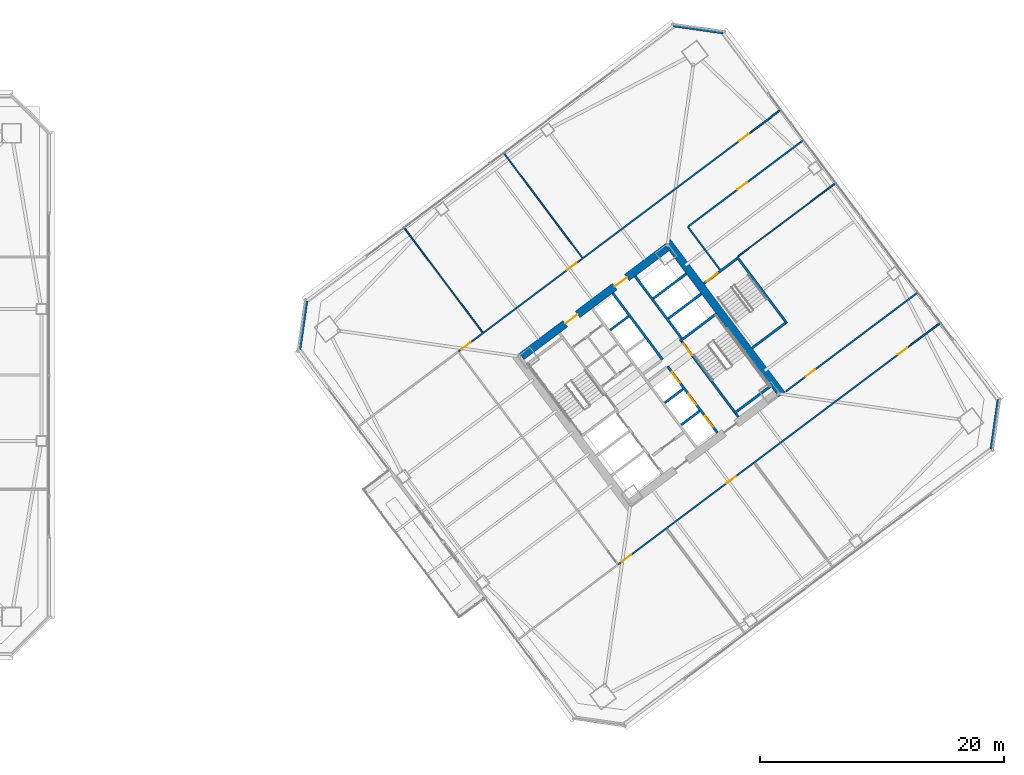
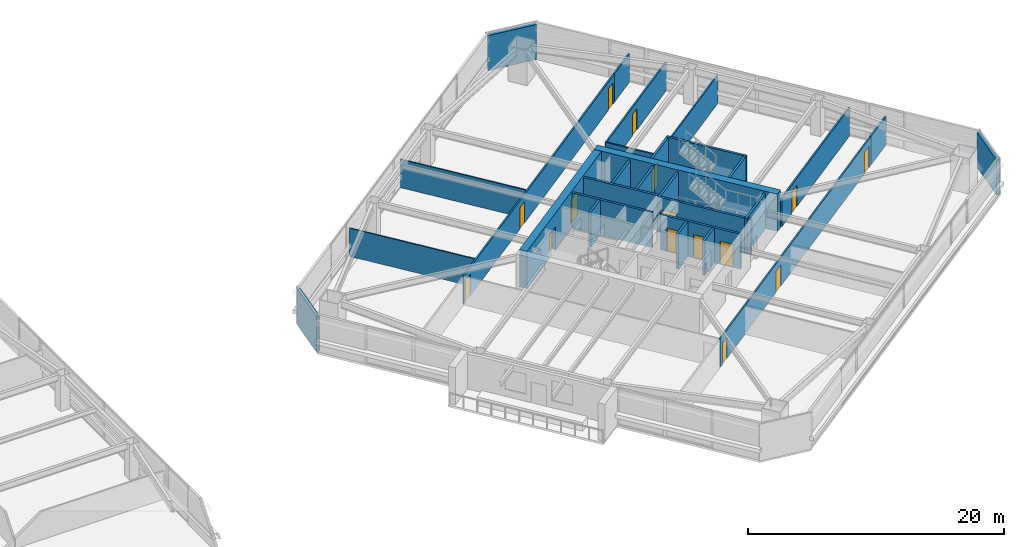
# One storey, part 39 of 46: 29 walls, 15 doors, 15 openings.
"""IFC4 building model written with IfcOpenShell, lengths in metres."""

from ifc_helpers import new_model, si_unit, direction, frame, frame_2d, origin, place, context, subcontext, project, spatial, rectangle, extrude, material, layer, layer_set, type_object, element, fill, save


model = new_model("IFC4")

# Units and contexts
model_context = context("Model", 3, precision=1e-05, world=origin(), true_north=direction((0.0, 1.0)))
body_context = subcontext(model_context, "Body", "Model", "MODEL_VIEW")
ifc_project = project(units=[si_unit("LENGTHUNIT", "METRE"), si_unit("AREAUNIT", "SQUARE_METRE"), si_unit("VOLUMEUNIT", "CUBIC_METRE"), si_unit("PLANEANGLEUNIT", "RADIAN"), si_unit("MASSUNIT", "GRAM", prefix="KILO")], contexts=[model_context])

# Site, building, storey
site_placement = place(None, origin())
site = spatial("IfcSite", under=ifc_project, at=site_placement, CompositionType="ELEMENT")
building_placement = place(site_placement, origin())
building = spatial("IfcBuilding", under=site, at=building_placement, Name="Tashvorn Skyway Center", CompositionType="ELEMENT")
storey_placement = place(building_placement, frame((0.0, 0.0, 60.10009765625)))
storey = spatial("IfcBuildingStorey", under=building, at=storey_placement, Name="L15", CompositionType="ELEMENT", Elevation=60.10009765625)

# Wall
ifc_material_1 = material(Name="Concrete C60/75", Category="concrete")
ifc_layer_1 = layer(ifc_material_1, 0.64990234375)
ifc_layer_set_1 = layer_set([ifc_layer_1], Name="Concrete C60/75")
wall_type_1 = type_object("IfcWallType", Name="WALL-CORE-650", PredefinedType="SHEAR", material=ifc_layer_set_1)
wall_1_placement = place(storey_placement, frame((115.52392578125, 42.89306640625, 0.0), z_axis=(0.0, 0.0, 1.0), x_axis=(0.600005007985, -0.799996243986, 0.0)))
element("IfcWall", 1, at=wall_1_placement, inside=storey, type_object=wall_type_1, Name="Tower 2 L15 East Core Shear Wall", PredefinedType="SHEAR", context=body_context, shape_type="SweptSolid", body=[
    extrude(rectangle(XDim=15.60009765625, YDim=0.64990234375, at=frame_2d((7.800048828125, 0.0))), origin(), (0.0, 0.0, 1.0), 3.5498046875),
])

# Wall, openings, doors
wall_2_placement = place(storey_placement, frame((103.571044921875, 33.52197265625, 0.0), z_axis=(0.0, 0.0, 1.0), x_axis=(0.799998028465, 0.600002628705, 0.0)))
wall_2 = element("IfcWall", 2, at=wall_2_placement, inside=storey, type_object=wall_type_1, Name="Tower 2 L15 North Core Shear Wall", PredefinedType="SHEAR", context=body_context, shape_type="SweptSolid", body=[
    extrude(rectangle(XDim=14.85986328125, YDim=0.64990234375, at=frame_2d((7.429931640625, 0.0))), origin(), (0.0, 0.0, 1.0), 3.5498046875),
])
opening_1_placement = place(wall_2_placement, frame((4.47998046875, 0.0, 0.0)))
opening_1 = element("IfcOpeningElement", 3, at=opening_1_placement, cuts=wall_2, Name="Opening D-FFL-1250", PredefinedType="OPENING", context=body_context, shape_type="SweptSolid", body=[
    extrude(rectangle(XDim=1.25, YDim=2.25, at=frame_2d((0.625, 1.125))), frame((0.0, 0.3349609375, 0.0), z_axis=(0.0, -1.0, 0.0), x_axis=(1.0, 0.0, 0.0)), (0.0, 0.0, 1.0), 0.669921875),
])
opening_2_placement = place(wall_2_placement, frame((9.530029296875, 0.0, 0.0)))
opening_2 = element("IfcOpeningElement", 4, at=opening_2_placement, cuts=wall_2, Name="Opening D-FFL-1250", PredefinedType="OPENING", context=body_context, shape_type="SweptSolid", body=[
    extrude(rectangle(XDim=1.25, YDim=2.25, at=frame_2d((0.625, 1.125))), frame((0.0, 0.3349609375, 0.0), z_axis=(0.0, -1.0, 0.0), x_axis=(1.0, 0.0, 0.0)), (0.0, 0.0, 1.0), 0.669921875),
])
ifc_material_2 = material(Name="Hollow galvanized steel fire door assembly", Category="steel")
door_type_1 = type_object("IfcDoorType", Name="DOOR-FFL-1250", OperationType="NOTDEFINED", PredefinedType="DOOR", material=ifc_material_2)
door_1_placement = place(opening_1_placement, origin())
door_1 = element("IfcDoor", 5, at=door_1_placement, inside=storey, type_object=door_type_1, Name="Tower 2 L15 Core North Service Lobby Door", OperationType="SINGLE_SWING_LEFT", OverallHeight=2.25, OverallWidth=1.25, PredefinedType="DOOR", context=body_context, shape_type="SweptSolid", body=[
    extrude(rectangle(XDim=1.25, YDim=2.25, at=frame_2d((0.625, 1.125))), frame((0.0, 0.02490234375, 0.0), z_axis=(0.0, -1.0, 0.0), x_axis=(1.0, 0.0, 0.0)), (0.0, 0.0, 1.0), 0.050048828125),
])
fill(opening_1, door_1)
door_2_placement = place(opening_2_placement, origin())
door_2 = element("IfcDoor", 6, at=door_2_placement, inside=storey, type_object=door_type_1, Name="Tower 2 L15 Core North Lift Lobby Door", OperationType="SINGLE_SWING_RIGHT", OverallHeight=2.25, OverallWidth=1.25, PredefinedType="DOOR", context=body_context, shape_type="SweptSolid", body=[
    extrude(rectangle(XDim=1.25, YDim=2.25, at=frame_2d((0.625, 1.125))), frame((0.0, 0.02490234375, 0.0), z_axis=(0.0, -1.0, 0.0), x_axis=(1.0, 0.0, 0.0)), (0.0, 0.0, 1.0), 0.050048828125),
])
fill(opening_2, door_2)

# Walls
ifc_material_3 = material(Name="Precast concrete C40/50", Category="concrete")
ifc_layer_2 = layer(ifc_material_3, 0.280029296875)
ifc_layer_set_2 = layer_set([ifc_layer_2], Name="Precast concrete C40/50")
wall_type_2 = type_object("IfcWallType", Name="WALL-EXT-280", PredefinedType="SOLIDWALL", material=ifc_layer_set_2)
for number, where, z_axis, x_axis, name in (
    (7, (85.360107421875, 34.02001953125, 0.0), (0.0, 0.0, 1.0), (0.14137968631, 0.989955445613, 0.0), "Tower 2 L15 NW Precast Chamfer Wall"),
    (8, (116.02001953125, 60.639892578125, 0.0), (0.0, 0.0, 1.0), (0.989955445613, -0.14137968631, 0.0), "Tower 2 L15 NE Precast Chamfer Wall"),
    (9, (142.639892578125, 29.97998046875, 0.0), (0.0, 0.0, 1.0), (-0.14137968631, -0.989955445613, 0.0), "Tower 2 L15 SE Precast Chamfer Wall"),
):
    element("IfcWall", number, at=place(storey_placement, frame(where, z_axis=z_axis, x_axis=x_axis)), inside=storey, type_object=wall_type_2, Name=name, PredefinedType="SOLIDWALL", context=body_context, shape_type="SweptSolid", body=[
        extrude(rectangle(XDim=4.101318359375, YDim=0.280029296875, at=frame_2d((2.05078125, 0.0))), origin(), (0.0, 0.0, 1.0), 3.349853515625),
    ])
ifc_material_4 = material(Name="Gypsum board on cold-formed steel stud framing", Category="steel")
ifc_layer_3 = layer(ifc_material_4, 0.110107421875)
ifc_layer_set_3 = layer_set([ifc_layer_3], Name="Gypsum board on cold-formed steel stud framing")
wall_type_3 = type_object("IfcWallType", Name="WALL-PART-110", PredefinedType="PARTITIONING", material=ifc_layer_set_3)
wall_3_placement = place(storey_placement, frame((100.3720703125, 35.50390625, 0.0), z_axis=(0.0, 0.0, 1.0), x_axis=(-0.600007301277, 0.79999452399, 0.0)))
element("IfcWall", 10, at=wall_3_placement, inside=storey, type_object=wall_type_3, Name="Tower 2 L15 North Suite Partition 1", PredefinedType="PARTITIONING", context=body_context, shape_type="SweptSolid", body=[
    extrude(rectangle(XDim=10.7001953125, YDim=0.110107421875, at=frame_2d((5.35009765625, 0.0))), origin(), (0.0, 0.0, 1.0), 2.702880859375),
])
wall_4_placement = place(storey_placement, frame((108.531982421875, 41.6240234375, 0.0), z_axis=(0.0, 0.0, 1.0), x_axis=(-0.599992698573, 0.800005476018, 0.0)))
element("IfcWall", 11, at=wall_4_placement, inside=storey, type_object=wall_type_3, Name="Tower 2 L15 North Suite Partition 2", PredefinedType="PARTITIONING", context=body_context, shape_type="SweptSolid", body=[
    extrude(rectangle(XDim=10.699951171875, YDim=0.110107421875, at=frame_2d((5.35009765625, 0.0))), origin(), (0.0, 0.0, 1.0), 2.702880859375),
])
wall_5_placement = place(storey_placement, frame((129.303955078125, 47.72802734375, 0.0), z_axis=(0.0, 0.0, 1.0), x_axis=(-0.8, -0.6, 0.0)))
element("IfcWall", 12, at=wall_5_placement, inside=storey, type_object=wall_type_3, Name="Tower 2 L15 East Suite Partition 1", PredefinedType="PARTITIONING", context=body_context, shape_type="SweptSolid", body=[
    extrude(rectangle(XDim=10.0, YDim=0.110107421875, at=frame_2d((5.0, 0.0))), origin(), (0.0, 0.0, 1.0), 2.702880859375),
])
ifc_layer_4 = layer(ifc_material_4, 0.135009765625)
ifc_layer_set_4 = layer_set([ifc_layer_4], Name="Gypsum board on cold-formed steel stud framing")
wall_type_4 = type_object("IfcWallType", Name="WALL-PART-135", PredefinedType="PARTITIONING", material=ifc_layer_set_4)
wall_6_placement = place(storey_placement, frame((119.823974609375, 40.617919921875, 0.0), z_axis=(0.0, 0.0, 1.0), x_axis=(-0.599982243973, 0.800013316712, 0.0)))
element("IfcWall", 13, at=wall_6_placement, inside=storey, type_object=wall_type_4, Name="Tower 2 L15 Stair 3 Access Corridor Wall", PredefinedType="PARTITIONING", context=body_context, shape_type="SweptSolid", body=[
    extrude(rectangle(XDim=4.39990234375, YDim=0.135009765625, at=frame_2d((2.199951171875, 0.0))), origin(), (0.0, 0.0, 1.0), 2.702880859375),
])

# Wall, openings, doors
wall_7_placement = place(storey_placement, frame((98.39599609375, 33.922119140625, 0.0), z_axis=(0.0, 0.0, 1.0), x_axis=(0.800001954438, 0.599997394074, 0.0)))
wall_7 = element("IfcWall", 14, at=wall_7_placement, inside=storey, type_object=wall_type_4, Name="Tower 2 L15 North Suite Wall", PredefinedType="PARTITIONING", context=body_context, shape_type="SweptSolid", body=[
    extrude(rectangle(XDim=29.979736328125, YDim=0.135009765625, at=frame_2d((14.98974609375, 0.0))), origin(), (0.0, 0.0, 1.0), 2.702880859375),
])
opening_3_placement = place(wall_7_placement, frame((0.300048828125, 0.0, 0.0)))
opening_3 = element("IfcOpeningElement", 15, at=opening_3_placement, cuts=wall_7, Name="Opening D-INT-950", PredefinedType="OPENING", context=body_context, shape_type="SweptSolid", body=[
    extrude(rectangle(XDim=0.949951171875, YDim=2.050048828125, at=frame_2d((0.47509765625, 1.02490234375))), frame((0.0, 0.077392578125, 0.0), z_axis=(0.0, -1.0, 0.0), x_axis=(1.0, 0.0, 0.0)), (0.0, 0.0, 1.0), 0.155029296875),
])
opening_4_placement = place(wall_7_placement, frame((11.142578125, 0.0, 0.0)))
opening_4 = element("IfcOpeningElement", 16, at=opening_4_placement, cuts=wall_7, Name="Opening D-INT-950", PredefinedType="OPENING", context=body_context, shape_type="SweptSolid", body=[
    extrude(rectangle(XDim=0.949951171875, YDim=2.050048828125, at=frame_2d((0.47509765625, 1.02490234375))), frame((0.0, 0.077392578125, 0.0), z_axis=(0.0, -1.0, 0.0), x_axis=(1.0, 0.0, 0.0)), (0.0, 0.0, 1.0), 0.155029296875),
])
opening_5_placement = place(wall_7_placement, frame((28.72998046875, 0.0, 0.0)))
opening_5 = element("IfcOpeningElement", 17, at=opening_5_placement, cuts=wall_7, Name="Opening D-INT-950", PredefinedType="OPENING", context=body_context, shape_type="SweptSolid", body=[
    extrude(rectangle(XDim=0.949951171875, YDim=2.050048828125, at=frame_2d((0.47509765625, 1.02490234375))), frame((0.0, 0.077392578125, 0.0), z_axis=(0.0, -1.0, 0.0), x_axis=(1.0, 0.0, 0.0)), (0.0, 0.0, 1.0), 0.155029296875),
])
ifc_material_5 = material(Name="Solid-core architectural oak veneer door")
door_type_2 = type_object("IfcDoorType", Name="DOOR-INT-950", OperationType="NOTDEFINED", PredefinedType="DOOR", material=ifc_material_5)
door_3_placement = place(opening_3_placement, origin())
door_3 = element("IfcDoor", 18, at=door_3_placement, inside=storey, type_object=door_type_2, Name="Tower 2 L15 Executive Suite Door", OperationType="SINGLE_SWING_LEFT", OverallHeight=2.050048828125, OverallWidth=0.949951171875, PredefinedType="DOOR", context=body_context, shape_type="SweptSolid", body=[
    extrude(rectangle(XDim=0.949951171875, YDim=2.050048828125, at=frame_2d((0.47509765625, 1.02490234375))), frame((0.0, 0.02490234375, 0.0), z_axis=(0.0, -1.0, 0.0), x_axis=(1.0, 0.0, 0.0)), (0.0, 0.0, 1.0), 0.050048828125),
])
fill(opening_3, door_3)
door_4_placement = place(opening_4_placement, origin())
door_4 = element("IfcDoor", 19, at=door_4_placement, inside=storey, type_object=door_type_2, Name="Tower 2 L15 Executive Suite Door", OperationType="SINGLE_SWING_RIGHT", OverallHeight=2.050048828125, OverallWidth=0.949951171875, PredefinedType="DOOR", context=body_context, shape_type="SweptSolid", body=[
    extrude(rectangle(XDim=0.949951171875, YDim=2.050048828125, at=frame_2d((0.47509765625, 1.02490234375))), frame((0.0, 0.02490234375, 0.0), z_axis=(0.0, -1.0, 0.0), x_axis=(1.0, 0.0, 0.0)), (0.0, 0.0, 1.0), 0.050048828125),
])
fill(opening_4, door_4)
door_5_placement = place(opening_5_placement, origin())
door_5 = element("IfcDoor", 20, at=door_5_placement, inside=storey, type_object=door_type_2, Name="Tower 2 L15 Boardroom Door", OperationType="SINGLE_SWING_LEFT", OverallHeight=2.050048828125, OverallWidth=0.949951171875, PredefinedType="DOOR", context=body_context, shape_type="SweptSolid", body=[
    extrude(rectangle(XDim=0.949951171875, YDim=2.050048828125, at=frame_2d((0.47509765625, 1.02490234375))), frame((0.0, 0.02490234375, 0.0), z_axis=(0.0, -1.0, 0.0), x_axis=(1.0, 0.0, 0.0)), (0.0, 0.0, 1.0), 0.050048828125),
])
fill(opening_5, door_5)

# Wall
wall_8_placement = place(storey_placement, frame((122.3798828125, 51.909912109375, 0.0), z_axis=(0.0, 0.0, 1.0), x_axis=(0.799990331366, 0.600012891296, 0.0)))
element("IfcWall", 21, at=wall_8_placement, inside=storey, type_object=wall_type_4, Name="Tower 2 L15 North-East Suite South Wall", PredefinedType="PARTITIONING", context=body_context, shape_type="SweptSolid", body=[
    extrude(rectangle(XDim=3.030029296875, YDim=0.135009765625, at=frame_2d((1.51513671875, 0.0))), origin(), (0.0, 0.0, 1.0), 2.702880859375),
])

# Wall, openings, doors
wall_9_placement = place(storey_placement, frame((135.4599609375, 34.469970703125, 0.0), z_axis=(0.0, 0.0, 1.0), x_axis=(-0.799998045563, -0.600002605907, 0.0)))
wall_9 = element("IfcWall", 22, at=wall_9_placement, inside=storey, type_object=wall_type_4, Name="Tower 2 L15 South Suite Wall", PredefinedType="PARTITIONING", context=body_context, shape_type="SweptSolid", body=[
    extrude(rectangle(XDim=29.97998046875, YDim=0.135009765625, at=frame_2d((14.989990234375, 0.0))), origin(), (0.0, 0.0, 1.0), 2.702880859375),
])
opening_6_placement = place(wall_9_placement, frame((28.64990234375, 0.0, 0.0)))
opening_6 = element("IfcOpeningElement", 23, at=opening_6_placement, cuts=wall_9, Name="Opening D-INT-950", PredefinedType="OPENING", context=body_context, shape_type="SweptSolid", body=[
    extrude(rectangle(XDim=0.949951171875, YDim=2.050048828125, at=frame_2d((0.47509765625, 1.02490234375))), frame((0.0, 0.077392578125, 0.0), z_axis=(0.0, -1.0, 0.0), x_axis=(1.0, 0.0, 0.0)), (0.0, 0.0, 1.0), 0.155029296875),
])
opening_7_placement = place(wall_9_placement, frame((17.938232421875, 0.0, 0.0)))
opening_7 = element("IfcOpeningElement", 24, at=opening_7_placement, cuts=wall_9, Name="Opening D-INT-950", PredefinedType="OPENING", context=body_context, shape_type="SweptSolid", body=[
    extrude(rectangle(XDim=0.949951171875, YDim=2.050048828125, at=frame_2d((0.47509765625, 1.02490234375))), frame((0.0, 0.077392578125, 0.0), z_axis=(0.0, -1.0, 0.0), x_axis=(1.0, 0.0, 0.0)), (0.0, 0.0, 1.0), 0.155029296875),
])
opening_8_placement = place(wall_9_placement, frame((0.3798828125, 0.0, 0.0)))
opening_8 = element("IfcOpeningElement", 25, at=opening_8_placement, cuts=wall_9, Name="Opening D-INT-950", PredefinedType="OPENING", context=body_context, shape_type="SweptSolid", body=[
    extrude(rectangle(XDim=0.949951171875, YDim=2.050048828125, at=frame_2d((0.47509765625, 1.02490234375))), frame((0.0, 0.077392578125, 0.0), z_axis=(0.0, -1.0, 0.0), x_axis=(1.0, 0.0, 0.0)), (0.0, 0.0, 1.0), 0.155029296875),
])
door_6_placement = place(opening_6_placement, origin())
door_6 = element("IfcDoor", 26, at=door_6_placement, inside=storey, type_object=door_type_2, Name="Tower 2 L15 Executive Suite Door", OperationType="SINGLE_SWING_RIGHT", OverallHeight=2.050048828125, OverallWidth=0.949951171875, PredefinedType="DOOR", context=body_context, shape_type="SweptSolid", body=[
    extrude(rectangle(XDim=0.949951171875, YDim=2.050048828125, at=frame_2d((0.47509765625, 1.02490234375))), frame((0.0, 0.02490234375, 0.0), z_axis=(0.0, -1.0, 0.0), x_axis=(1.0, 0.0, 0.0)), (0.0, 0.0, 1.0), 0.050048828125),
])
fill(opening_6, door_6)
door_7_placement = place(opening_7_placement, origin())
door_7 = element("IfcDoor", 27, at=door_7_placement, inside=storey, type_object=door_type_2, Name="Tower 2 L15 Boardroom Door", OperationType="SINGLE_SWING_LEFT", OverallHeight=2.050048828125, OverallWidth=0.949951171875, PredefinedType="DOOR", context=body_context, shape_type="SweptSolid", body=[
    extrude(rectangle(XDim=0.949951171875, YDim=2.050048828125, at=frame_2d((0.47509765625, 1.02490234375))), frame((0.0, 0.02490234375, 0.0), z_axis=(0.0, -1.0, 0.0), x_axis=(1.0, 0.0, 0.0)), (0.0, 0.0, 1.0), 0.050048828125),
])
fill(opening_7, door_7)
door_8_placement = place(opening_8_placement, origin())
door_8 = element("IfcDoor", 28, at=door_8_placement, inside=storey, type_object=door_type_2, Name="Tower 2 L15 Boardroom Door", OperationType="SINGLE_SWING_RIGHT", OverallHeight=2.050048828125, OverallWidth=0.949951171875, PredefinedType="DOOR", context=body_context, shape_type="SweptSolid", body=[
    extrude(rectangle(XDim=0.949951171875, YDim=2.050048828125, at=frame_2d((0.47509765625, 1.02490234375))), frame((0.0, 0.02490234375, 0.0), z_axis=(0.0, -1.0, 0.0), x_axis=(1.0, 0.0, 0.0)), (0.0, 0.0, 1.0), 0.050048828125),
])
fill(opening_8, door_8)

# Wall
wall_10_placement = place(storey_placement, frame((135.4599609375, 34.469970703125, 0.0), z_axis=(0.0, 0.0, 1.0), x_axis=(0.799990331366, 0.600012891296, 0.0)))
element("IfcWall", 29, at=wall_10_placement, inside=storey, type_object=wall_type_4, Name="Tower 2 L15 South-East Suite North Wall", PredefinedType="PARTITIONING", context=body_context, shape_type="SweptSolid", body=[
    extrude(rectangle(XDim=3.030029296875, YDim=0.135009765625, at=frame_2d((1.51513671875, 0.0))), origin(), (0.0, 0.0, 1.0), 2.702880859375),
])

# Wall, opening, door
wall_11_placement = place(storey_placement, frame((126.6640625, 51.248046875, 0.0), z_axis=(0.0, 0.0, 1.0), x_axis=(-0.799995055373, -0.600006592779, 0.0)))
wall_11 = element("IfcWall", 30, at=wall_11_placement, inside=storey, type_object=wall_type_4, Name="Tower 2 L15 East Suite North Wall", PredefinedType="PARTITIONING", context=body_context, shape_type="SweptSolid", body=[
    extrude(rectangle(XDim=11.85009765625, YDim=0.135009765625, at=frame_2d((5.925048828125, 0.0))), origin(), (0.0, 0.0, 1.0), 2.702880859375),
])
opening_9_placement = place(wall_11_placement, frame((5.800048828125, 0.0, 0.0)))
opening_9 = element("IfcOpeningElement", 31, at=opening_9_placement, cuts=wall_11, Name="Opening D-INT-950", PredefinedType="OPENING", context=body_context, shape_type="SweptSolid", body=[
    extrude(rectangle(XDim=0.949951171875, YDim=2.050048828125, at=frame_2d((0.47509765625, 1.02490234375))), frame((0.0, 0.077392578125, 0.0), z_axis=(0.0, -1.0, 0.0), x_axis=(1.0, 0.0, 0.0)), (0.0, 0.0, 1.0), 0.155029296875),
])
door_9_placement = place(opening_9_placement, origin())
door_9 = element("IfcDoor", 32, at=door_9_placement, inside=storey, type_object=door_type_2, Name="Tower 2 L15 Executive Suite Door", OperationType="SINGLE_SWING_LEFT", OverallHeight=2.050048828125, OverallWidth=0.949951171875, PredefinedType="DOOR", context=body_context, shape_type="SweptSolid", body=[
    extrude(rectangle(XDim=0.949951171875, YDim=2.050048828125, at=frame_2d((0.47509765625, 1.02490234375))), frame((0.0, 0.02490234375, 0.0), z_axis=(0.0, -1.0, 0.0), x_axis=(1.0, 0.0, 0.0)), (0.0, 0.0, 1.0), 0.050048828125),
])
fill(opening_9, door_9)

wall_12_placement = place(storey_placement, frame((125.2080078125, 30.656005859375, 0.0), z_axis=(0.0, 0.0, 1.0), x_axis=(0.799995666112, 0.600005778473, 0.0)))
wall_12 = element("IfcWall", 33, at=wall_12_placement, inside=storey, type_object=wall_type_4, Name="Tower 2 L15 East Suite South Wall", PredefinedType="PARTITIONING", context=body_context, shape_type="SweptSolid", body=[
    extrude(rectangle(XDim=13.52001953125, YDim=0.135009765625, at=frame_2d((6.760009765625, 0.0))), origin(), (0.0, 0.0, 1.0), 2.702880859375),
])
opening_10_placement = place(wall_12_placement, frame((2.044921875, 0.0, 0.0)))
opening_10 = element("IfcOpeningElement", 34, at=opening_10_placement, cuts=wall_12, Name="Opening D-INT-950", PredefinedType="OPENING", context=body_context, shape_type="SweptSolid", body=[
    extrude(rectangle(XDim=0.949951171875, YDim=2.050048828125, at=frame_2d((0.47509765625, 1.02490234375))), frame((0.0, 0.077392578125, 0.0), z_axis=(0.0, -1.0, 0.0), x_axis=(1.0, 0.0, 0.0)), (0.0, 0.0, 1.0), 0.155029296875),
])
door_10_placement = place(opening_10_placement, origin())
door_10 = element("IfcDoor", 35, at=door_10_placement, inside=storey, type_object=door_type_2, Name="Tower 2 L15 Public Restroom Door", OperationType="SINGLE_SWING_RIGHT", OverallHeight=2.050048828125, OverallWidth=0.949951171875, PredefinedType="DOOR", context=body_context, shape_type="SweptSolid", body=[
    extrude(rectangle(XDim=0.949951171875, YDim=2.050048828125, at=frame_2d((0.47509765625, 1.02490234375))), frame((0.0, 0.02490234375, 0.0), z_axis=(0.0, -1.0, 0.0), x_axis=(1.0, 0.0, 0.0)), (0.0, 0.0, 1.0), 0.050048828125),
])
fill(opening_10, door_10)

# Walls
ifc_material_6 = material(Name="Concrete C40/50", Category="concrete")
ifc_layer_5 = layer(ifc_material_6, 0.199951171875)
ifc_layer_set_5 = layer_set([ifc_layer_5], Name="Concrete C40/50")
wall_type_5 = type_object("IfcWallType", Name="WALL-SHAFT-200", PredefinedType="SOLIDWALL", material=ifc_layer_set_5)
for number, where, z_axis, x_axis, name in (
    (36, (115.590087890625, 36.6298828125, 0.0), (0.0, 0.0, 1.0), (0.799973995579, 0.600034670996, 0.0), "Tower 2 L15 High-Rise Shaft Divider"),
    (37, (114.360107421875, 38.27001953125, 0.0), (0.0, 0.0, 1.0), (0.799973995579, 0.600034670996, 0.0), "Tower 2 L15 High-Rise Shaft Divider"),
):
    element("IfcWall", number, at=place(storey_placement, frame(where, z_axis=z_axis, x_axis=x_axis)), inside=storey, type_object=wall_type_5, Name=name, PredefinedType="SOLIDWALL", context=body_context, shape_type="SweptSolid", body=[
        extrude(rectangle(XDim=3.3798828125, YDim=0.199951171875, at=frame_2d((1.68994140625, 0.0))), origin(), (0.0, 0.0, 1.0), 3.349853515625),
    ])

# Wall, openings, doors
wall_13_placement = place(storey_placement, frame((119.610107421875, 27.27001953125, 0.0), z_axis=(0.0, 0.0, 1.0), x_axis=(-0.600011488909, 0.79999138319, 0.0)))
wall_13 = element("IfcWall", 38, at=wall_13_placement, inside=storey, type_object=wall_type_5, Name="Tower 2 L15 Low-Rise Core Wall", PredefinedType="SOLIDWALL", context=body_context, shape_type="SweptSolid", body=[
    extrude(rectangle(XDim=6.800048828125, YDim=0.199951171875, at=frame_2d((3.39990234375, 0.0))), origin(), (0.0, 0.0, 1.0), 3.349853515625),
])
opening_11_placement = place(wall_13_placement, frame((0.625, 0.0, 0.0)))
opening_11 = element("IfcOpeningElement", 39, at=opening_11_placement, cuts=wall_13, Name="Opening LD-LR-T2-1-L15", PredefinedType="OPENING", context=body_context, shape_type="SweptSolid", body=[
    extrude(rectangle(XDim=1.10009765625, YDim=2.199951171875, at=frame_2d((0.550048828125, 1.10009765625))), frame((0.0, 0.10986328125, 0.0), z_axis=(0.0, -1.0, 0.0), x_axis=(1.0, 0.0, 0.0)), (0.0, 0.0, 1.0), 0.219970703125),
])
opening_12_placement = place(wall_13_placement, frame((2.875, 0.0, 0.0)))
opening_12 = element("IfcOpeningElement", 40, at=opening_12_placement, cuts=wall_13, Name="Opening LD-LR-T2-2-L15", PredefinedType="OPENING", context=body_context, shape_type="SweptSolid", body=[
    extrude(rectangle(XDim=1.10009765625, YDim=2.199951171875, at=frame_2d((0.550048828125, 1.10009765625))), frame((0.0, 0.10986328125, 0.0), z_axis=(0.0, -1.0, 0.0), x_axis=(1.0, 0.0, 0.0)), (0.0, 0.0, 1.0), 0.219970703125),
])
opening_13_placement = place(wall_13_placement, frame((5.125, 0.0, 0.0)))
opening_13 = element("IfcOpeningElement", 41, at=opening_13_placement, cuts=wall_13, Name="Opening LD-LR-T2-3-L15", PredefinedType="OPENING", context=body_context, shape_type="SweptSolid", body=[
    extrude(rectangle(XDim=1.10009765625, YDim=2.199951171875, at=frame_2d((0.550048828125, 1.10009765625))), frame((0.0, 0.10986328125, 0.0), z_axis=(0.0, -1.0, 0.0), x_axis=(1.0, 0.0, 0.0)), (0.0, 0.0, 1.0), 0.219970703125),
])
ifc_material_7 = material(Name="Stainless steel landing door", Category="steel")
door_type_3 = type_object("IfcDoorType", Name="DOOR-LIFT-1100", OperationType="SLIDING_TO_LEFT", PredefinedType="DOOR", material=ifc_material_7)
door_11_placement = place(opening_11_placement, origin())
door_11 = element("IfcDoor", 42, at=door_11_placement, inside=storey, type_object=door_type_3, Name="Lift LR-T2-1 L15 Landing Door", OperationType="SLIDING_TO_LEFT", OverallHeight=2.199951171875, OverallWidth=1.10009765625, PredefinedType="DOOR", context=body_context, shape_type="SweptSolid", body=[
    extrude(rectangle(XDim=1.10009765625, YDim=2.199951171875, at=frame_2d((0.550048828125, 1.10009765625))), frame((0.0, 0.02490234375, 0.0), z_axis=(0.0, -1.0, 0.0), x_axis=(1.0, 0.0, 0.0)), (0.0, 0.0, 1.0), 0.050048828125),
])
fill(opening_11, door_11)
door_12_placement = place(opening_12_placement, origin())
door_12 = element("IfcDoor", 43, at=door_12_placement, inside=storey, type_object=door_type_3, Name="Lift LR-T2-2 L15 Landing Door", OperationType="SLIDING_TO_LEFT", OverallHeight=2.199951171875, OverallWidth=1.10009765625, PredefinedType="DOOR", context=body_context, shape_type="SweptSolid", body=[
    extrude(rectangle(XDim=1.10009765625, YDim=2.199951171875, at=frame_2d((0.550048828125, 1.10009765625))), frame((0.0, 0.02490234375, 0.0), z_axis=(0.0, -1.0, 0.0), x_axis=(1.0, 0.0, 0.0)), (0.0, 0.0, 1.0), 0.050048828125),
])
fill(opening_12, door_12)
door_13_placement = place(opening_13_placement, origin())
door_13 = element("IfcDoor", 44, at=door_13_placement, inside=storey, type_object=door_type_3, Name="Lift LR-T2-3 L15 Landing Door", OperationType="SLIDING_TO_LEFT", OverallHeight=2.199951171875, OverallWidth=1.10009765625, PredefinedType="DOOR", context=body_context, shape_type="SweptSolid", body=[
    extrude(rectangle(XDim=1.10009765625, YDim=2.199951171875, at=frame_2d((0.550048828125, 1.10009765625))), frame((0.0, 0.02490234375, 0.0), z_axis=(0.0, -1.0, 0.0), x_axis=(1.0, 0.0, 0.0)), (0.0, 0.0, 1.0), 0.050048828125),
])
fill(opening_13, door_13)

# Walls
wall_14_placement = place(storey_placement, frame((116.64599609375, 27.922119140625, 0.0), z_axis=(0.0, 0.0, 1.0), x_axis=(0.8, 0.6, 0.0)))
element("IfcWall", 45, at=wall_14_placement, inside=storey, type_object=wall_type_5, Name="Tower 2 L15 Low-Rise Shaft Divider", PredefinedType="SOLIDWALL", context=body_context, shape_type="SweptSolid", body=[
    extrude(rectangle(XDim=1.8798828125, YDim=0.199951171875, at=frame_2d((0.93994140625, 0.0))), origin(), (0.0, 0.0, 1.0), 3.349853515625),
])
wall_15_placement = place(storey_placement, frame((115.2958984375, 29.721923828125, 0.0), z_axis=(0.0, 0.0, 1.0), x_axis=(0.799984418148, 0.600020775241, 0.0)))
element("IfcWall", 46, at=wall_15_placement, inside=storey, type_object=wall_type_5, Name="Tower 2 L15 Low-Rise Shaft Divider", PredefinedType="SOLIDWALL", context=body_context, shape_type="SweptSolid", body=[
    extrude(rectangle(XDim=1.880126953125, YDim=0.199951171875, at=frame_2d((0.93994140625, 0.0))), origin(), (0.0, 0.0, 1.0), 3.349853515625),
])
wall_16_placement = place(storey_placement, frame((115.110107421875, 33.27001953125, 0.0), z_axis=(0.0, 0.0, 1.0), x_axis=(-0.600011488909, 0.79999138319, 0.0)))
element("IfcWall", 47, at=wall_16_placement, inside=storey, type_object=wall_type_5, Name="Tower 2 L15 Mid-Rise Core Wall", PredefinedType="SOLIDWALL", context=body_context, shape_type="SweptSolid", body=[
    extrude(rectangle(XDim=6.800048828125, YDim=0.199951171875, at=frame_2d((3.39990234375, 0.0))), origin(), (0.0, 0.0, 1.0), 3.349853515625),
])
wall_17_placement = place(storey_placement, frame((110.825927734375, 35.681884765625, 0.0), z_axis=(0.0, 0.0, 1.0), x_axis=(0.799984418148, 0.600020775241, 0.0)))
element("IfcWall", 48, at=wall_17_placement, inside=storey, type_object=wall_type_5, Name="Tower 2 L15 Mid-Rise Shaft Divider", PredefinedType="SOLIDWALL", context=body_context, shape_type="SweptSolid", body=[
    extrude(rectangle(XDim=1.880126953125, YDim=0.199951171875, at=frame_2d((0.93994140625, 0.0))), origin(), (0.0, 0.0, 1.0), 3.349853515625),
])

# Wall, opening, door
ifc_layer_6 = layer(ifc_material_6, 0.199951171875)
ifc_layer_set_6 = layer_set([ifc_layer_6], Name="Concrete C40/50")
wall_type_6 = type_object("IfcWallType", Name="WALL-STSHF-200", PredefinedType="SHEAR", material=ifc_layer_set_6)
wall_18_placement = place(storey_placement, frame((116.56005859375, 34.919921875, 0.0), z_axis=(0.0, 0.0, 1.0), x_axis=(0.600009827119, -0.799992629566, 0.0)))
wall_18 = element("IfcWall", 49, at=wall_18_placement, inside=storey, type_object=wall_type_6, Name="Tower 2 L15 Stair 2 Enclosure Wall", PredefinedType="SHEAR", context=body_context, shape_type="SweptSolid", body=[
    extrude(rectangle(XDim=7.949951171875, YDim=0.199951171875, at=frame_2d((3.97509765625, 0.0))), origin(), (0.0, 0.0, 1.0), 3.349853515625),
])
opening_14_placement = place(wall_18_placement, frame((0.449951171875, 0.0, 0.0)))
opening_14 = element("IfcOpeningElement", 50, at=opening_14_placement, cuts=wall_18, Name="Opening D-ST-1150", PredefinedType="OPENING", context=body_context, shape_type="SweptSolid", body=[
    extrude(rectangle(XDim=1.14990234375, YDim=2.199951171875, at=frame_2d((0.574951171875, 1.10009765625))), frame((0.0, 0.10986328125, 0.0), z_axis=(0.0, -1.0, 0.0), x_axis=(1.0, 0.0, 0.0)), (0.0, 0.0, 1.0), 0.219970703125),
])
door_type_4 = type_object("IfcDoorType", Name="DOOR-STAIR-1150", OperationType="NOTDEFINED", PredefinedType="DOOR", material=ifc_material_2)
door_14_placement = place(opening_14_placement, origin())
door_14 = element("IfcDoor", 51, at=door_14_placement, inside=storey, type_object=door_type_4, Name="Tower 2 L15 Exit Stair 2 Door", OperationType="SINGLE_SWING_RIGHT", OverallHeight=2.199951171875, OverallWidth=1.14990234375, PredefinedType="DOOR", context=body_context, shape_type="SweptSolid", body=[
    extrude(rectangle(XDim=1.14990234375, YDim=2.199951171875, at=frame_2d((0.574951171875, 1.10009765625))), frame((0.0, 0.02490234375, 0.0), z_axis=(0.0, -1.0, 0.0), x_axis=(1.0, 0.0, 0.0)), (0.0, 0.0, 1.0), 0.050048828125),
])
fill(opening_14, door_14)

# Walls
for number, where, z_axis, x_axis, name in (
    (52, (116.5400390625, 34.780029296875, 0.0), (0.0, 0.0, 1.0), (0.799984290658, 0.600020945218, 0.0), "Tower 2 L15 Stair 2 North Wall"),
    (53, (120.97998046875, 28.860107421875, 0.0), (0.0, 0.0, 1.0), (0.800039270442, 0.59994763584, 0.0), "Tower 2 L15 Stair 2 South Wall"),
):
    element("IfcWall", number, at=place(storey_placement, frame(where, z_axis=z_axis, x_axis=x_axis)), inside=storey, type_object=wall_type_6, Name=name, PredefinedType="SHEAR", context=body_context, shape_type="SweptSolid", body=[
        extrude(rectangle(XDim=3.72998046875, YDim=0.199951171875, at=frame_2d((1.864990234375, 0.0))), origin(), (0.0, 0.0, 1.0), 3.349853515625),
    ])
wall_19_placement = place(storey_placement, frame((112.8701171875, 40.090087890625, 0.0), z_axis=(0.0, 0.0, 1.0), x_axis=(0.599975393228, -0.800018454488, 0.0)))
element("IfcWall", 54, at=wall_19_placement, inside=storey, type_object=wall_type_6, Name="Tower 2 L15 High-Rise Lift Shaft Front Wall", PredefinedType="SHEAR", context=body_context, shape_type="SweptSolid", body=[
    extrude(rectangle(XDim=6.349853515625, YDim=0.199951171875, at=frame_2d((3.1748046875, 0.0))), origin(), (0.0, 0.0, 1.0), 3.349853515625),
])
wall_20_placement = place(storey_placement, frame((125.303955078125, 36.22802734375, 0.0), z_axis=(0.0, 0.0, 1.0), x_axis=(-0.59998851072, 0.800008616831, 0.0)))
element("IfcWall", 55, at=wall_20_placement, inside=storey, type_object=wall_type_6, Name="Tower 2 L15 Stair 3 Outer Wall", PredefinedType="SHEAR", context=body_context, shape_type="SweptSolid", body=[
    extrude(rectangle(XDim=6.7998046875, YDim=0.199951171875, at=frame_2d((3.39990234375, 0.0))), origin(), (0.0, 0.0, 1.0), 3.349853515625),
])

# Wall, opening, door
wall_21_placement = place(storey_placement, frame((121.2041015625, 41.528076171875, 0.0), z_axis=(0.0, 0.0, 1.0), x_axis=(-0.800017232136, -0.599977023131, 0.0)))
wall_21 = element("IfcWall", 56, at=wall_21_placement, inside=storey, type_object=wall_type_6, Name="Tower 2 L15 Stair 3 Enclosure Wall", PredefinedType="SHEAR", context=body_context, shape_type="SweptSolid", body=[
    extrude(rectangle(XDim=3.400146484375, YDim=0.199951171875, at=frame_2d((1.7001953125, 0.0))), origin(), (0.0, 0.0, 1.0), 3.349853515625),
])
opening_15_placement = place(wall_21_placement, frame((1.97509765625, 0.0, 0.0)))
opening_15 = element("IfcOpeningElement", 57, at=opening_15_placement, cuts=wall_21, Name="Opening D-ST-1150", PredefinedType="OPENING", context=body_context, shape_type="SweptSolid", body=[
    extrude(rectangle(XDim=1.14990234375, YDim=2.199951171875, at=frame_2d((0.574951171875, 1.10009765625))), frame((0.0, 0.10986328125, 0.0), z_axis=(0.0, -1.0, 0.0), x_axis=(1.0, 0.0, 0.0)), (0.0, 0.0, 1.0), 0.219970703125),
])
door_15_placement = place(opening_15_placement, origin())
door_15 = element("IfcDoor", 58, at=door_15_placement, inside=storey, type_object=door_type_4, Name="Tower 2 L15 Exit Stair 3 Door", OperationType="SINGLE_SWING_RIGHT", OverallHeight=2.199951171875, OverallWidth=1.14990234375, PredefinedType="DOOR", context=body_context, shape_type="SweptSolid", body=[
    extrude(rectangle(XDim=1.14990234375, YDim=2.199951171875, at=frame_2d((0.574951171875, 1.10009765625))), frame((0.0, 0.02490234375, 0.0), z_axis=(0.0, -1.0, 0.0), x_axis=(1.0, 0.0, 0.0)), (0.0, 0.0, 1.0), 0.050048828125),
])
fill(opening_15, door_15)

# Wall
wall_22_placement = place(storey_placement, frame((122.444091796875, 34.2080078125, 0.0), z_axis=(0.0, 0.0, 1.0), x_axis=(0.79999138319, 0.600011488909, 0.0)))
element("IfcWall", 59, at=wall_22_placement, inside=storey, type_object=wall_type_6, Name="Tower 2 L15 Stair 3 South Wall", PredefinedType="SHEAR", context=body_context, shape_type="SweptSolid", body=[
    extrude(rectangle(XDim=3.39990234375, YDim=0.199951171875, at=frame_2d((1.699951171875, 0.0))), origin(), (0.0, 0.0, 1.0), 3.349853515625),
])

save(model, "model.ifc")
